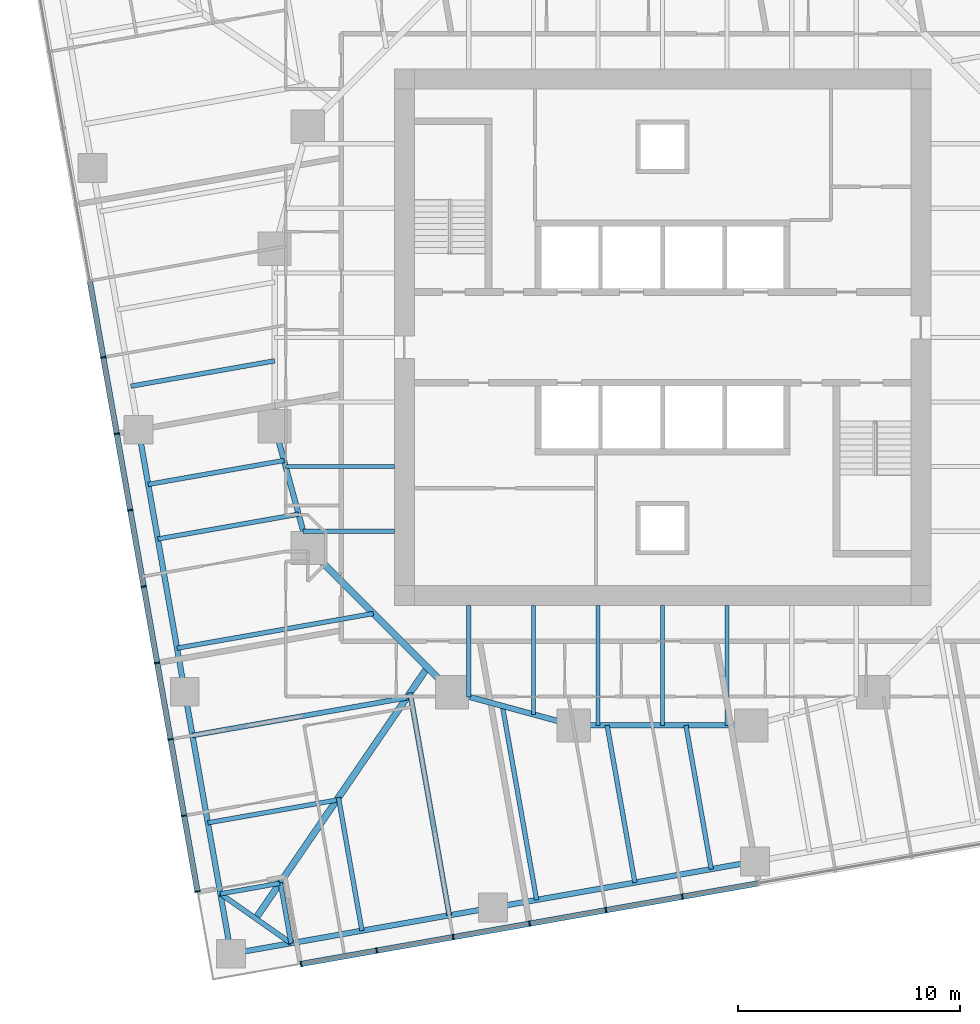
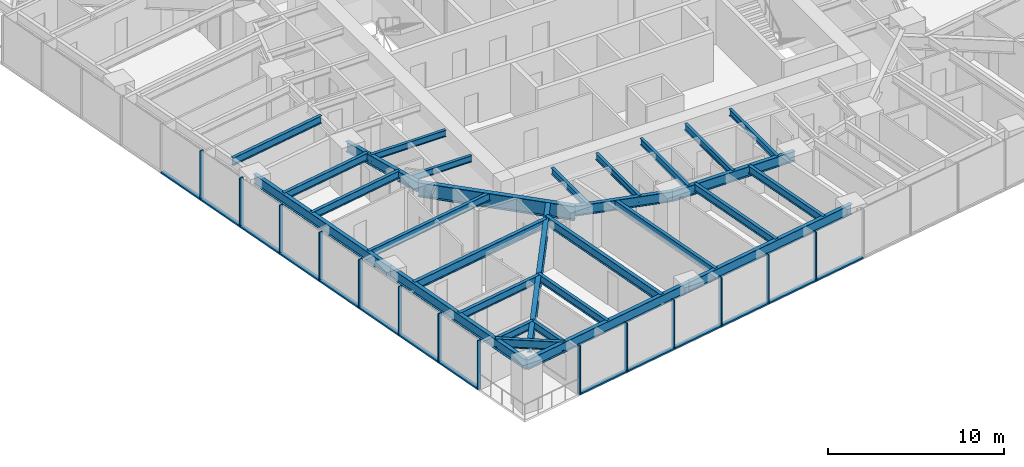
# One storey, part 2 of 14: 30 beams, 28 members, 2 elements without a shape of their own.
"""IFC4 building model written with IfcOpenShell, lengths in metres."""

import ifcopenshell
import ifcopenshell.guid

model = None  # the IFC model being written
_history = None  # IfcOwnerHistory: only IFC2X3 demands one
_inside = {}  # id of a spatial element -> (the spatial element, [elements in it])
_under = {}  # id of a project, library or spatial element -> (it, [spatial elements below it])
_declared = {}  # id of a project -> (the project, [libraries it declares])
_typed = {}  # id of a type object -> (the type object, [elements of that type])
_made_of = {}  # id of a material, layer set ... -> (it, [elements and type objects made of it])


def new_model(schema):
    """Start an empty IFC model of exactly this schema.

    Asked for "IFC4X3", IfcOpenShell would pick the latest addendum, in which some entities
    have other attributes; the version numbers below select the first issue.
    IFC2X3 requires an IfcOwnerHistory on every rooted entity: one is made here for all.
    """
    global model, _history
    if schema == "IFC4X3":
        model = ifcopenshell.file(schema_version=(4, 3, 0, 0))
    else:
        model = ifcopenshell.file(schema=schema)
    _inside.clear()
    _under.clear()
    _declared.clear()
    _typed.clear()
    _made_of.clear()
    _history = None
    if model.schema == "IFC2X3":
        org = make("IfcOrganization", Name="unknown")
        user = make(
            "IfcPersonAndOrganization",
            ThePerson=make("IfcPerson", FamilyName="unknown"),
            TheOrganization=org,
        )
        app = make(
            "IfcApplication",
            ApplicationDeveloper=org,
            Version="unknown",
            ApplicationFullName="unknown",
            ApplicationIdentifier="unknown",
        )
        _history = make(
            "IfcOwnerHistory",
            OwningUser=user,
            OwningApplication=app,
            ChangeAction="ADDED",
            CreationDate=0,
        )
    return model


def make(cls, **values):
    """One entity of the class cls with the attributes given. An attribute that is None is left unset."""
    return model.create_entity(
        cls, **{name: value for name, value in values.items() if value is not None}
    )


def rooted(cls, **values):
    """An entity with a GlobalId (a new one), such as an element, a storey or a relation."""
    return make(cls, GlobalId=ifcopenshell.guid.new(), OwnerHistory=_history, **values)


def si_unit(unit_type, name, prefix=None):
    """IfcSIUnit, for example si_unit("LENGTHUNIT", "METRE", prefix="MILLI")."""
    return make("IfcSIUnit", UnitType=unit_type, Prefix=prefix, Name=name)


def assignment(units):
    """IfcUnitAssignment: the units of a project."""
    return None if units is None else make("IfcUnitAssignment", Units=units)


def point(xyz):
    """IfcCartesianPoint."""
    return None if xyz is None else make("IfcCartesianPoint", Coordinates=xyz)


def direction(xyz):
    """IfcDirection."""
    return None if xyz is None else make("IfcDirection", DirectionRatios=xyz)


def frame(location, z_axis=None, x_axis=None):
    """IfcAxis2Placement3D, a coordinate frame: its origin and axes. An axis left out is left unset."""
    return make(
        "IfcAxis2Placement3D",
        Location=point(location),
        Axis=direction(z_axis),
        RefDirection=direction(x_axis),
    )


def frame_2d(location, x_axis=None):
    """IfcAxis2Placement2D, a coordinate frame in the plane: its origin and x axis."""
    return make(
        "IfcAxis2Placement2D", Location=point(location), RefDirection=direction(x_axis)
    )


def origin():
    """The frame at (0, 0, 0) with its axes left unset."""
    return frame((0.0, 0.0, 0.0))


def origin_2d():
    """The frame at (0, 0) in the plane with its x axis left unset."""
    return frame_2d((0.0, 0.0))


def place(relative_to, where):
    """IfcLocalPlacement: puts the frame where relative to a parent placement (None: the world)."""
    return make(
        "IfcLocalPlacement", PlacementRelTo=relative_to, RelativePlacement=where
    )


def context(
    kind, dimensions, precision=None, world=None, true_north=None, identifier=None
):
    """IfcGeometricRepresentationContext, for example the 3D "Model" context."""
    return make(
        "IfcGeometricRepresentationContext",
        ContextIdentifier=identifier,
        ContextType=kind,
        CoordinateSpaceDimension=dimensions,
        Precision=precision,
        WorldCoordinateSystem=world,
        TrueNorth=true_north,
    )


def subcontext(parent, identifier, kind, view, scale=None):
    """IfcGeometricRepresentationSubContext, for example "Body" below "Model"."""
    return make(
        "IfcGeometricRepresentationSubContext",
        ContextIdentifier=identifier,
        ContextType=kind,
        ParentContext=parent,
        TargetScale=scale,
        TargetView=view,
    )


def project(units=None, contexts=None):
    """IfcProject with its units and contexts."""
    return rooted(
        "IfcProject",
        Name="project",
        RepresentationContexts=contexts,
        UnitsInContext=assignment(units),
    )


def spatial(cls, under=None, at=None, **own):
    """A site, building, storey or space (cls), placed at a placement, below another one or the project."""
    s = rooted(cls, ObjectPlacement=at, **own)
    if under is not None:
        _under.setdefault(under.id(), (under, []))[1].append(s)
    return s


def profile(cls, at=None, kind="AREA", **sizes):
    """A parametric profile (cls). Its sizes go by their IFC names, for example OverallWidth=200.0."""
    return make(cls, ProfileType=kind, Position=at, **sizes)


def rectangle(**sizes):
    """IfcRectangleProfileDef."""
    return profile("IfcRectangleProfileDef", **sizes)


def i_section(**sizes):
    """IfcIShapeProfileDef."""
    return profile("IfcIShapeProfileDef", **sizes)


def extrude(swept, where, along, depth):
    """IfcExtrudedAreaSolid: the profile swept, set in the frame where, extruded along a direction by depth."""
    return make(
        "IfcExtrudedAreaSolid",
        SweptArea=swept,
        Position=where,
        ExtrudedDirection=direction(along),
        Depth=depth,
    )


def shape(context_of_items, identifier, shape_type, items):
    """IfcShapeRepresentation: the items that make up one representation, for example the "Body"."""
    return make(
        "IfcShapeRepresentation",
        ContextOfItems=context_of_items,
        RepresentationIdentifier=identifier,
        RepresentationType=shape_type,
        Items=items,
    )


def material(Name=None, Category=None):
    """IfcMaterial."""
    return make("IfcMaterial", Name=Name, Category=Category)


def material_profile(
    of_material, cross_section, Name=None, Category=None, Priority=None
):
    """IfcMaterialProfile: a cross section and its material."""
    return make(
        "IfcMaterialProfile",
        Name=Name,
        Material=of_material,
        Profile=cross_section,
        Priority=Priority,
        Category=Category,
    )


def profile_set(profiles, Name=None, composite=None):
    """IfcMaterialProfileSet."""
    return make(
        "IfcMaterialProfileSet",
        Name=Name,
        MaterialProfiles=profiles,
        CompositeProfile=composite,
    )


def made_of(thing, what):
    """Note that an element or type object is made of a material, layer set ...; save() writes the relation."""
    if what is not None:
        _made_of.setdefault(what.id(), (what, []))[1].append(thing)
    return thing


def type_object(cls, material=None, **own):
    """A type object (cls), such as IfcWallType, which elements share."""
    return made_of(rooted(cls, **own), material)


def element(
    cls,
    number,
    at=None,
    inside=None,
    cuts=None,
    type_object=None,
    material=None,
    context=None,
    identifier="Body",
    shape_type=None,
    held_by="IfcProductDefinitionShape",
    body=None,
    shapes=None,
    **own,
):
    """One element of the class cls, such as IfcWall. Its Tag is "e" and its number.

    at: its placement. inside: the storey or other place that contains it. cuts: it is an
    opening in that element (IfcRelVoidsElement). A single representation is given by context,
    identifier, shape_type and body (its items); several are given by shapes. held_by: the class
    of the entity that holds the representations. save() writes the other relations.
    """
    e = rooted(cls, Tag="e%d" % number, ObjectPlacement=at, **own)
    if body is not None:
        shapes = [shape(context, identifier, shape_type, body)]
    if shapes is not None:
        e.Representation = make(held_by, Representations=shapes)
    if inside is not None:
        _inside.setdefault(inside.id(), (inside, []))[1].append(e)
    if cuts is not None:
        rooted(
            "IfcRelVoidsElement", RelatingBuildingElement=cuts, RelatedOpeningElement=e
        )
    if type_object is not None:
        _typed.setdefault(type_object.id(), (type_object, []))[1].append(e)
    return made_of(e, material)


def aggregate(whole, parts):
    """IfcRelAggregates: a whole, such as a stair, and the parts it consists of."""
    return rooted("IfcRelAggregates", RelatingObject=whole, RelatedObjects=parts)


def save(model, path):
    """Write the relations noted so far, then the file.

    IfcRelAggregates (storeys below a building ...), IfcRelContainedInSpatialStructure (elements
    in a storey), IfcRelDefinesByType, IfcRelAssociatesMaterial and IfcRelDeclares: one each for
    every whole, place, type object, material and project.
    """
    for whole, parts in _under.values():
        aggregate(whole, parts)
    for where, things in _inside.values():
        rooted(
            "IfcRelContainedInSpatialStructure",
            RelatedElements=things,
            RelatingStructure=where,
        )
    for kind, things in _typed.values():
        rooted("IfcRelDefinesByType", RelatedObjects=things, RelatingType=kind)
    for what, things in _made_of.values():
        rooted("IfcRelAssociatesMaterial", RelatedObjects=things, RelatingMaterial=what)
    for by, libraries in _declared.values():
        rooted("IfcRelDeclares", RelatingContext=by, RelatedDefinitions=libraries)
    model.write(path)


model = new_model("IFC4")

# Units and contexts
model_context = context("Model", 3, precision=1e-05, world=origin(), true_north=direction((0.0, 1.0)))
body_context = subcontext(model_context, "Body", "Model", "MODEL_VIEW")
ifc_project = project(units=[si_unit("LENGTHUNIT", "METRE"), si_unit("AREAUNIT", "SQUARE_METRE"), si_unit("VOLUMEUNIT", "CUBIC_METRE"), si_unit("PLANEANGLEUNIT", "RADIAN"), si_unit("MASSUNIT", "GRAM", prefix="KILO")], contexts=[model_context])

# Site, building, storey
site_placement = place(None, origin())
site = spatial("IfcSite", under=ifc_project, at=site_placement, CompositionType="ELEMENT")
building_placement = place(site_placement, origin())
building = spatial("IfcBuilding", under=site, at=building_placement, Name="Torsade Residences", CompositionType="ELEMENT")
storey_placement = place(building_placement, frame((0.0, 0.0, 89.60009765625)))
storey = spatial("IfcBuildingStorey", under=building, at=storey_placement, Name="L24", CompositionType="ELEMENT", Elevation=89.60009765625)

# Beams
ifc_material_1 = material(Name="Steel grade 300", Category="steel")
ifc_material_profile_1 = material_profile(ifc_material_1, i_section(OverallWidth=0.300048828125, OverallDepth=0.89990234375, WebThickness=0.011962890625, FlangeThickness=0.02490234375, at=origin_2d()), Name="900WB175")
ifc_profile_set_1 = profile_set([ifc_material_profile_1], Name="Steel grade 300")
beam_type_1 = type_object("IfcBeamType", Name="CORNER GIRDER 900WB175", PredefinedType="BEAM", material=ifc_profile_set_1)
beam_1_placement = place(storey_placement, frame((21.6474609375, 3.7900390625, 2.7998046875), z_axis=(0.564724759437, 0.825279313977, 0.0), x_axis=(-0.825279313977, 0.564724759437, 0.0)))
element("IfcBeam", 1, at=beam_1_placement, inside=storey, type_object=beam_type_1, Name="Corner girder 01 L25", PredefinedType="BEAM", context=body_context, shape_type="SweptSolid", body=[
    extrude(i_section(OverallWidth=0.300048828125, OverallDepth=0.89990234375, WebThickness=0.011962890625, FlangeThickness=0.02490234375, at=origin_2d()), origin(), (0.0, 0.0, 1.0), 13.7138671875),
])
ifc_material_2 = material(Name="Steel grade 300", Category="steel")
ifc_material_profile_2 = material_profile(ifc_material_2, i_section(OverallWidth=0.22802734375, OverallDepth=0.60205078125, WebThickness=0.010498046875, FlangeThickness=0.014892578125, FilletRadius=0.013916015625, at=origin_2d()), Name="610UB101")
ifc_profile_set_2 = profile_set([ifc_material_profile_2], Name="Steel grade 300")
beam_type_2 = type_object("IfcBeamType", Name="CORNER TRIMMER 610UB101", PredefinedType="BEAM", material=ifc_profile_set_2)
beam_2_placement = place(storey_placement, frame((23.240478515625, 2.674560546875, 2.948974609375), z_axis=(-0.819152285145, 0.573576092373, 0.0), x_axis=(-0.573576092373, -0.819152285145, 0.0)))
element("IfcBeam", 2, at=beam_2_placement, inside=storey, type_object=beam_type_2, Name="Corner trimmer 01 L25", PredefinedType="BEAM", context=body_context, shape_type="SweptSolid", body=[
    extrude(i_section(OverallWidth=0.22802734375, OverallDepth=0.60205078125, WebThickness=0.010498046875, FlangeThickness=0.014892578125, FilletRadius=0.013916015625, at=origin_2d()), origin(), (0.0, 0.0, 1.0), 3.88916015625),
])

# Curtain wall, members
ifc_material_3 = material(Name="Aluminium and glass", Category="aluminium")
curtain_wall_type = type_object("IfcCurtainWallType", Name="FRITTED GLASS CURTAIN WALL LOW ZONE", PredefinedType="NOTDEFINED", material=ifc_material_3)
curtain_wall_1_placement = place(storey_placement, origin())
curtain_wall_1 = element("IfcCurtainWall", 3, at=curtain_wall_1_placement, inside=storey, type_object=curtain_wall_type, Name="Curtain wall L24 face 1", PredefinedType="NOTDEFINED")
ifc_material_4 = material(Name="Aluminium mullion", Category="aluminium")
ifc_material_profile_3 = material_profile(ifc_material_4, rectangle(XDim=0.25, YDim=0.06494140625, at=origin_2d()), Name="CURTAIN WALL MULLION 250x65")
ifc_profile_set_3 = profile_set([ifc_material_profile_3], Name="Aluminium mullion")
member_type_1 = type_object("IfcMemberType", Name="CURTAIN WALL MULLION 250x65", PredefinedType="MULLION", material=ifc_profile_set_3)
member_1_placement = place(storey_placement, frame((23.692138671875, 1.73876953125, 0.0), z_axis=(0.0, 0.0, 1.0), x_axis=(-0.173648192638, 0.984807750372, 0.0)))
member_1 = element("IfcMember", 4, at=member_1_placement, type_object=member_type_1, Name="Mullion 1", PredefinedType="MULLION", context=body_context, shape_type="SweptSolid", body=[
    extrude(rectangle(XDim=0.25, YDim=0.06494140625, at=origin_2d()), origin(), (0.0, 0.0, 1.0), 3.39990234375),
])
member_2_placement = place(storey_placement, frame((27.107177734375, 2.341064453125, 0.0), z_axis=(0.0, 0.0, 1.0), x_axis=(-0.173648192638, 0.984807750372, 0.0)))
member_2 = element("IfcMember", 5, at=member_2_placement, type_object=member_type_1, Name="Mullion 2", PredefinedType="MULLION", context=body_context, shape_type="SweptSolid", body=[
    extrude(rectangle(XDim=0.25, YDim=0.06494140625, at=origin_2d()), origin(), (0.0, 0.0, 1.0), 3.39990234375),
])
member_3_placement = place(storey_placement, frame((30.553955078125, 2.94873046875, 0.0), z_axis=(0.0, 0.0, 1.0), x_axis=(-0.173648192638, 0.984807750372, 0.0)))
member_3 = element("IfcMember", 6, at=member_3_placement, type_object=member_type_1, Name="Mullion 3", PredefinedType="MULLION", context=body_context, shape_type="SweptSolid", body=[
    extrude(rectangle(XDim=0.25, YDim=0.06494140625, at=origin_2d()), origin(), (0.0, 0.0, 1.0), 3.39990234375),
])
member_4_placement = place(storey_placement, frame((34.000732421875, 3.556396484375, 0.0), z_axis=(0.0, 0.0, 1.0), x_axis=(-0.173648192638, 0.984807750372, 0.0)))
member_4 = element("IfcMember", 7, at=member_4_placement, type_object=member_type_1, Name="Mullion 4", PredefinedType="MULLION", context=body_context, shape_type="SweptSolid", body=[
    extrude(rectangle(XDim=0.25, YDim=0.06494140625, at=origin_2d()), origin(), (0.0, 0.0, 1.0), 3.39990234375),
])
member_5_placement = place(storey_placement, frame((37.447509765625, 4.164306640625, 0.0), z_axis=(0.0, 0.0, 1.0), x_axis=(-0.173648192638, 0.984807750372, 0.0)))
member_5 = element("IfcMember", 8, at=member_5_placement, type_object=member_type_1, Name="Mullion 5", PredefinedType="MULLION", context=body_context, shape_type="SweptSolid", body=[
    extrude(rectangle(XDim=0.25, YDim=0.06494140625, at=origin_2d()), origin(), (0.0, 0.0, 1.0), 3.39990234375),
])
member_6_placement = place(storey_placement, frame((40.894287109375, 4.77197265625, 0.0), z_axis=(0.0, 0.0, 1.0), x_axis=(-0.173648192638, 0.984807750372, 0.0)))
member_6 = element("IfcMember", 9, at=member_6_placement, type_object=member_type_1, Name="Mullion 6", PredefinedType="MULLION", context=body_context, shape_type="SweptSolid", body=[
    extrude(rectangle(XDim=0.25, YDim=0.06494140625, at=origin_2d()), origin(), (0.0, 0.0, 1.0), 3.39990234375),
])

curtain_wall_2_placement = place(storey_placement, origin())
curtain_wall_2 = element("IfcCurtainWall", 10, at=curtain_wall_2_placement, inside=storey, type_object=curtain_wall_type, Name="Curtain wall L24 face 10", PredefinedType="NOTDEFINED")
member_7_placement = place(storey_placement, frame((14.77197265625, 29.105712890625, 0.0), z_axis=(0.0, 0.0, 1.0), x_axis=(0.984807750372, 0.173648192638, 0.0)))
member_7 = element("IfcMember", 11, at=member_7_placement, type_object=member_type_1, Name="Mullion 6", PredefinedType="MULLION", context=body_context, shape_type="SweptSolid", body=[
    extrude(rectangle(XDim=0.25, YDim=0.06494140625, at=origin_2d()), origin(), (0.0, 0.0, 1.0), 3.39990234375),
])
member_8_placement = place(storey_placement, frame((15.3798828125, 25.65869140625, 0.0), z_axis=(0.0, 0.0, 1.0), x_axis=(0.984807750372, 0.173648192638, 0.0)))
member_8 = element("IfcMember", 12, at=member_8_placement, type_object=member_type_1, Name="Mullion 7", PredefinedType="MULLION", context=body_context, shape_type="SweptSolid", body=[
    extrude(rectangle(XDim=0.25, YDim=0.06494140625, at=origin_2d()), origin(), (0.0, 0.0, 1.0), 3.39990234375),
])
member_9_placement = place(storey_placement, frame((15.987548828125, 22.2119140625, 0.0), z_axis=(0.0, 0.0, 1.0), x_axis=(0.984807750372, 0.173648192638, 0.0)))
member_9 = element("IfcMember", 13, at=member_9_placement, type_object=member_type_1, Name="Mullion 8", PredefinedType="MULLION", context=body_context, shape_type="SweptSolid", body=[
    extrude(rectangle(XDim=0.25, YDim=0.06494140625, at=origin_2d()), origin(), (0.0, 0.0, 1.0), 3.39990234375),
])
member_10_placement = place(storey_placement, frame((16.595458984375, 18.76513671875, 0.0), z_axis=(0.0, 0.0, 1.0), x_axis=(0.984807750372, 0.173648192638, 0.0)))
member_10 = element("IfcMember", 14, at=member_10_placement, type_object=member_type_1, Name="Mullion 9", PredefinedType="MULLION", context=body_context, shape_type="SweptSolid", body=[
    extrude(rectangle(XDim=0.25, YDim=0.06494140625, at=origin_2d()), origin(), (0.0, 0.0, 1.0), 3.39990234375),
])
member_11_placement = place(storey_placement, frame((17.203125, 15.318359375, 0.0), z_axis=(0.0, 0.0, 1.0), x_axis=(0.984807750372, 0.173648192638, 0.0)))
member_11 = element("IfcMember", 15, at=member_11_placement, type_object=member_type_1, Name="Mullion 10", PredefinedType="MULLION", context=body_context, shape_type="SweptSolid", body=[
    extrude(rectangle(XDim=0.25, YDim=0.06494140625, at=origin_2d()), origin(), (0.0, 0.0, 1.0), 3.39990234375),
])
member_12_placement = place(storey_placement, frame((17.810791015625, 11.87158203125, 0.0), z_axis=(0.0, 0.0, 1.0), x_axis=(0.984807750372, 0.173648192638, 0.0)))
member_12 = element("IfcMember", 16, at=member_12_placement, type_object=member_type_1, Name="Mullion 11", PredefinedType="MULLION", context=body_context, shape_type="SweptSolid", body=[
    extrude(rectangle(XDim=0.25, YDim=0.06494140625, at=origin_2d()), origin(), (0.0, 0.0, 1.0), 3.39990234375),
])
member_13_placement = place(storey_placement, frame((18.418701171875, 8.424560546875, 0.0), z_axis=(0.0, 0.0, 1.0), x_axis=(0.984807750372, 0.173648192638, 0.0)))
member_13 = element("IfcMember", 17, at=member_13_placement, type_object=member_type_1, Name="Mullion 12", PredefinedType="MULLION", context=body_context, shape_type="SweptSolid", body=[
    extrude(rectangle(XDim=0.25, YDim=0.06494140625, at=origin_2d()), origin(), (0.0, 0.0, 1.0), 3.39990234375),
])
member_14_placement = place(storey_placement, frame((19.020751953125, 5.009765625, 0.0), z_axis=(0.0, 0.0, 1.0), x_axis=(0.984807750372, 0.173648192638, 0.0)))
member_14 = element("IfcMember", 18, at=member_14_placement, type_object=member_type_1, Name="Mullion 13", PredefinedType="MULLION", context=body_context, shape_type="SweptSolid", body=[
    extrude(rectangle(XDim=0.25, YDim=0.06494140625, at=origin_2d()), origin(), (0.0, 0.0, 1.0), 3.39990234375),
])

# Member
ifc_material_5 = material(Name="Aluminium transom", Category="aluminium")
ifc_material_profile_4 = material_profile(ifc_material_5, rectangle(XDim=0.25, YDim=0.10009765625, at=origin_2d()), Name="CURTAIN WALL TRANSOM 250x100")
ifc_profile_set_4 = profile_set([ifc_material_profile_4], Name="Aluminium transom")
member_type_2 = type_object("IfcMemberType", Name="CURTAIN WALL TRANSOM 250x100", PredefinedType="USERDEFINED", material=ifc_profile_set_4)
member_15_placement = place(storey_placement, frame((23.724365234375, 1.744384765625, 0.0498046875), z_axis=(0.984806666774, 0.173654337918, 0.0), x_axis=(-0.173654337918, 0.984806666774, 0.0)))
member_15 = element("IfcMember", 19, at=member_15_placement, type_object=member_type_2, Name="Transom 1.1", ObjectType="TRANSOM", PredefinedType="USERDEFINED", context=body_context, shape_type="SweptSolid", body=[
    extrude(rectangle(XDim=0.25, YDim=0.10009765625, at=origin_2d()), origin(), (0.0, 0.0, 1.0), 3.40234375),
])

member_16_placement = place(storey_placement, frame((27.13916015625, 2.3466796875, 0.0498046875), z_axis=(0.984810021497, 0.17363531196, 0.0), x_axis=(-0.17363531196, 0.984810021497, 0.0)))
member_16 = element("IfcMember", 20, at=member_16_placement, type_object=member_type_2, Name="Transom 2.1", ObjectType="TRANSOM", PredefinedType="USERDEFINED", context=body_context, shape_type="SweptSolid", body=[
    extrude(rectangle(XDim=0.25, YDim=0.10009765625, at=origin_2d()), origin(), (0.0, 0.0, 1.0), 3.43505859375),
])

member_17_placement = place(storey_placement, frame((30.5859375, 2.954345703125, 0.0498046875), z_axis=(0.984810021497, 0.17363531196, 0.0), x_axis=(-0.17363531196, 0.984810021497, 0.0)))
member_17 = element("IfcMember", 21, at=member_17_placement, type_object=member_type_2, Name="Transom 3.1", ObjectType="TRANSOM", PredefinedType="USERDEFINED", context=body_context, shape_type="SweptSolid", body=[
    extrude(rectangle(XDim=0.25, YDim=0.10009765625, at=origin_2d()), origin(), (0.0, 0.0, 1.0), 3.43505859375),
])

member_18_placement = place(storey_placement, frame((34.03271484375, 3.562255859375, 0.0498046875), z_axis=(0.984810021497, 0.17363531196, 0.0), x_axis=(-0.17363531196, 0.984810021497, 0.0)))
member_18 = element("IfcMember", 22, at=member_18_placement, type_object=member_type_2, Name="Transom 4.1", ObjectType="TRANSOM", PredefinedType="USERDEFINED", context=body_context, shape_type="SweptSolid", body=[
    extrude(rectangle(XDim=0.25, YDim=0.10009765625, at=origin_2d()), origin(), (0.0, 0.0, 1.0), 3.43505859375),
])

member_19_placement = place(storey_placement, frame((37.4794921875, 4.169921875, 0.0498046875), z_axis=(0.984810021497, 0.17363531196, 0.0), x_axis=(-0.17363531196, 0.984810021497, 0.0)))
member_19 = element("IfcMember", 23, at=member_19_placement, type_object=member_type_2, Name="Transom 5.1", ObjectType="TRANSOM", PredefinedType="USERDEFINED", context=body_context, shape_type="SweptSolid", body=[
    extrude(rectangle(XDim=0.25, YDim=0.10009765625, at=origin_2d()), origin(), (0.0, 0.0, 1.0), 3.43505859375),
])

member_20_placement = place(storey_placement, frame((40.92626953125, 4.777587890625, 0.0498046875), z_axis=(0.98479786563, 0.173704242465, 0.0), x_axis=(-0.173704242465, 0.98479786563, 0.0)))
member_20 = element("IfcMember", 24, at=member_20_placement, type_object=member_type_2, Name="Transom 6.1", ObjectType="TRANSOM", PredefinedType="USERDEFINED", context=body_context, shape_type="SweptSolid", body=[
    extrude(rectangle(XDim=0.25, YDim=0.10009765625, at=origin_2d()), origin(), (0.0, 0.0, 1.0), 3.43505859375),
])

aggregate(curtain_wall_1, [member_1, member_2, member_3, member_4, member_5, member_6, member_15, member_16, member_17, member_18, member_19, member_20])

member_21_placement = place(storey_placement, frame((14.169921875, 32.5205078125, 0.0498046875), z_axis=(0.17363531196, -0.984810021497, 0.0), x_axis=(0.984810021497, 0.17363531196, 0.0)))
member_21 = element("IfcMember", 25, at=member_21_placement, type_object=member_type_2, Name="Transom 5.1", ObjectType="TRANSOM", PredefinedType="USERDEFINED", context=body_context, shape_type="SweptSolid", body=[
    extrude(rectangle(XDim=0.25, YDim=0.10009765625, at=origin_2d()), origin(), (0.0, 0.0, 1.0), 3.43505859375),
])

member_22_placement = place(storey_placement, frame((14.777587890625, 29.07373046875, 0.0498046875), z_axis=(0.173704242465, -0.98479786563, 0.0), x_axis=(0.98479786563, 0.173704242465, 0.0)))
member_22 = element("IfcMember", 26, at=member_22_placement, type_object=member_type_2, Name="Transom 6.1", ObjectType="TRANSOM", PredefinedType="USERDEFINED", context=body_context, shape_type="SweptSolid", body=[
    extrude(rectangle(XDim=0.25, YDim=0.10009765625, at=origin_2d()), origin(), (0.0, 0.0, 1.0), 3.43505859375),
])

member_23_placement = place(storey_placement, frame((15.385498046875, 25.626708984375, 0.0498046875), z_axis=(0.17363531196, -0.984810021497, 0.0), x_axis=(0.984810021497, 0.17363531196, 0.0)))
member_23 = element("IfcMember", 27, at=member_23_placement, type_object=member_type_2, Name="Transom 7.1", ObjectType="TRANSOM", PredefinedType="USERDEFINED", context=body_context, shape_type="SweptSolid", body=[
    extrude(rectangle(XDim=0.25, YDim=0.10009765625, at=origin_2d()), origin(), (0.0, 0.0, 1.0), 3.43505859375),
])

member_24_placement = place(storey_placement, frame((15.9931640625, 22.179931640625, 0.0498046875), z_axis=(0.17363531196, -0.984810021497, 0.0), x_axis=(0.984810021497, 0.17363531196, 0.0)))
member_24 = element("IfcMember", 28, at=member_24_placement, type_object=member_type_2, Name="Transom 8.1", ObjectType="TRANSOM", PredefinedType="USERDEFINED", context=body_context, shape_type="SweptSolid", body=[
    extrude(rectangle(XDim=0.25, YDim=0.10009765625, at=origin_2d()), origin(), (0.0, 0.0, 1.0), 3.43505859375),
])

member_25_placement = place(storey_placement, frame((16.60107421875, 18.733154296875, 0.0498046875), z_axis=(0.17363531196, -0.984810021497, 0.0), x_axis=(0.984810021497, 0.17363531196, 0.0)))
member_25 = element("IfcMember", 29, at=member_25_placement, type_object=member_type_2, Name="Transom 9.1", ObjectType="TRANSOM", PredefinedType="USERDEFINED", context=body_context, shape_type="SweptSolid", body=[
    extrude(rectangle(XDim=0.25, YDim=0.10009765625, at=origin_2d()), origin(), (0.0, 0.0, 1.0), 3.43505859375),
])

member_26_placement = place(storey_placement, frame((17.208740234375, 15.286376953125, 0.0498046875), z_axis=(0.17363531196, -0.984810021497, 0.0), x_axis=(0.984810021497, 0.17363531196, 0.0)))
member_26 = element("IfcMember", 30, at=member_26_placement, type_object=member_type_2, Name="Transom 10.1", ObjectType="TRANSOM", PredefinedType="USERDEFINED", context=body_context, shape_type="SweptSolid", body=[
    extrude(rectangle(XDim=0.25, YDim=0.10009765625, at=origin_2d()), origin(), (0.0, 0.0, 1.0), 3.43505859375),
])

member_27_placement = place(storey_placement, frame((17.81640625, 11.839599609375, 0.0498046875), z_axis=(0.173704242465, -0.98479786563, 0.0), x_axis=(0.98479786563, 0.173704242465, 0.0)))
member_27 = element("IfcMember", 31, at=member_27_placement, type_object=member_type_2, Name="Transom 11.1", ObjectType="TRANSOM", PredefinedType="USERDEFINED", context=body_context, shape_type="SweptSolid", body=[
    extrude(rectangle(XDim=0.25, YDim=0.10009765625, at=origin_2d()), origin(), (0.0, 0.0, 1.0), 3.43505859375),
])

member_28_placement = place(storey_placement, frame((18.42431640625, 8.392578125, 0.0498046875), z_axis=(0.173642067011, -0.984808830466, 0.0), x_axis=(0.984808830466, 0.173642067011, 0.0)))
member_28 = element("IfcMember", 32, at=member_28_placement, type_object=member_type_2, Name="Transom 12.1", ObjectType="TRANSOM", PredefinedType="USERDEFINED", context=body_context, shape_type="SweptSolid", body=[
    extrude(rectangle(XDim=0.25, YDim=0.10009765625, at=origin_2d()), origin(), (0.0, 0.0, 1.0), 3.402587890625),
])

aggregate(curtain_wall_2, [member_7, member_8, member_9, member_10, member_11, member_12, member_13, member_14, member_21, member_22, member_23, member_24, member_25, member_26, member_27, member_28])

# Beams
ifc_material_6 = material(Name="Steel grade 300", Category="steel")
ifc_material_profile_5 = material_profile(ifc_material_6, i_section(OverallWidth=0.25, OverallDepth=0.699951171875, WebThickness=0.010009765625, FlangeThickness=0.02001953125, at=origin_2d()), Name="700WB130")
ifc_profile_set_5 = profile_set([ifc_material_profile_5], Name="Steel grade 300")
beam_type_3 = type_object("IfcBeamType", Name="EDGE BEAM 700WB130", PredefinedType="SPANDREL", material=ifc_profile_set_5)
for number, where, z_axis, x_axis, name in (
    (33, (20.5322265625, 2.197021484375, 2.89990234375), (0.984808127031, 0.173646056486, 0.0), (-0.173646056486, 0.984808127031, 0.0), "Edge beam 01 L25"),
    (34, (32.349853515625, 4.28076171875, 2.89990234375), (0.984808127031, 0.173646056486, 0.0), (-0.173646056486, 0.984808127031, 0.0), "Edge beam 02 L25"),
):
    element("IfcBeam", number, at=place(storey_placement, frame(where, z_axis=z_axis, x_axis=x_axis)), inside=storey, type_object=beam_type_3, Name=name, PredefinedType="SPANDREL", context=body_context, shape_type="SweptSolid", body=[
        extrude(i_section(OverallWidth=0.25, OverallDepth=0.699951171875, WebThickness=0.010009765625, FlangeThickness=0.02001953125, at=origin_2d()), origin(), (0.0, 0.0, 1.0), 12.0),
    ])
beam_3_placement = place(storey_placement, frame((16.364501953125, 25.83251953125, 2.89990234375), z_axis=(0.173662308598, -0.984805261243, 0.0), x_axis=(0.984805261243, 0.173662308598, 0.0)))
element("IfcBeam", 35, at=beam_3_placement, inside=storey, type_object=beam_type_3, Name="Edge beam 15 L25", PredefinedType="SPANDREL", context=body_context, shape_type="SweptSolid", body=[
    extrude(i_section(OverallWidth=0.25, OverallDepth=0.699951171875, WebThickness=0.010009765625, FlangeThickness=0.02001953125, at=origin_2d()), origin(), (0.0, 0.0, 1.0), 12.000244140625),
])
beam_4_placement = place(storey_placement, frame((18.448486328125, 14.0146484375, 2.89990234375), z_axis=(0.173646056486, -0.984808127031, 0.0), x_axis=(0.984808127031, 0.173646056486, 0.0)))
element("IfcBeam", 36, at=beam_4_placement, inside=storey, type_object=beam_type_3, Name="Edge beam 16 L25", PredefinedType="SPANDREL", context=body_context, shape_type="SweptSolid", body=[
    extrude(i_section(OverallWidth=0.25, OverallDepth=0.699951171875, WebThickness=0.010009765625, FlangeThickness=0.02001953125, at=origin_2d()), origin(), (0.0, 0.0, 1.0), 12.0),
])
ifc_material_7 = material(Name="Steel grade 300", Category="steel")
ifc_material_profile_6 = material_profile(ifc_material_7, i_section(OverallWidth=0.18994140625, OverallDepth=0.4541015625, WebThickness=0.008544921875, FlangeThickness=0.0126953125, FilletRadius=0.011474609375, at=origin_2d()), Name="460UB67.1")
ifc_profile_set_6 = profile_set([ifc_material_profile_6], Name="Steel grade 300")
beam_type_4 = type_object("IfcBeamType", Name="INNER FLOOR BEAM 460UB67.1", PredefinedType="JOIST", material=ifc_profile_set_6)
for number, where, z_axis, x_axis, name in (
    (37, (42.91259765625, 17.89990234375, 3.02294921875), (0.0, -1.0, 0.0), (1.0, 0.0, 0.0), "Inner floor beam IS03 L25"),
    (38, (40.0, 17.89990234375, 3.02294921875), (0.0, -1.0, 0.0), (1.0, 0.0, 0.0), "Inner floor beam IS04 L25"),
    (39, (37.08740234375, 17.89990234375, 3.02294921875), (0.0, -1.0, 0.0), (1.0, 0.0, 0.0), "Inner floor beam IS05 L25"),
):
    element("IfcBeam", number, at=place(storey_placement, frame(where, z_axis=z_axis, x_axis=x_axis)), inside=storey, type_object=beam_type_4, Name=name, PredefinedType="JOIST", context=body_context, shape_type="SweptSolid", body=[
        extrude(i_section(OverallWidth=0.18994140625, OverallDepth=0.4541015625, WebThickness=0.008544921875, FlangeThickness=0.0126953125, FilletRadius=0.011474609375, at=origin_2d()), origin(), (0.0, 0.0, 1.0), 5.39990234375),
    ])
beam_5_placement = place(storey_placement, frame((34.175048828125, 17.89990234375, 3.02294921875), z_axis=(0.0, -1.0, 0.0), x_axis=(1.0, 0.0, 0.0)))
element("IfcBeam", 40, at=beam_5_placement, inside=storey, type_object=beam_type_4, Name="Inner floor beam IS06 L25", PredefinedType="JOIST", context=body_context, shape_type="SweptSolid", body=[
    extrude(i_section(OverallWidth=0.18994140625, OverallDepth=0.4541015625, WebThickness=0.008544921875, FlangeThickness=0.0126953125, FilletRadius=0.011474609375, at=origin_2d()), origin(), (0.0, 0.0, 1.0), 4.902099609375),
])
beam_6_placement = place(storey_placement, frame((31.262451171875, 17.89990234375, 3.02294921875), z_axis=(0.0, -1.0, 0.0), x_axis=(1.0, 0.0, 0.0)))
element("IfcBeam", 41, at=beam_6_placement, inside=storey, type_object=beam_type_4, Name="Inner floor beam IS07 L25", PredefinedType="JOIST", context=body_context, shape_type="SweptSolid", body=[
    extrude(i_section(OverallWidth=0.18994140625, OverallDepth=0.4541015625, WebThickness=0.008544921875, FlangeThickness=0.0126953125, FilletRadius=0.011474609375, at=origin_2d()), origin(), (0.0, 0.0, 1.0), 4.10791015625),
])
beam_7_placement = place(storey_placement, frame((27.89990234375, 24.175048828125, 3.02294921875), z_axis=(-1.0, 0.0, 0.0), x_axis=(0.0, -1.0, 0.0)))
element("IfcBeam", 42, at=beam_7_placement, inside=storey, type_object=beam_type_4, Name="Inner floor beam IW06 L25", PredefinedType="JOIST", context=body_context, shape_type="SweptSolid", body=[
    extrude(i_section(OverallWidth=0.18994140625, OverallDepth=0.4541015625, WebThickness=0.008544921875, FlangeThickness=0.0126953125, FilletRadius=0.011474609375, at=origin_2d()), origin(), (0.0, 0.0, 1.0), 4.902099609375),
])
beam_8_placement = place(storey_placement, frame((27.89990234375, 21.262451171875, 3.02294921875), z_axis=(-1.0, 0.0, 0.0), x_axis=(0.0, -1.0, 0.0)))
element("IfcBeam", 43, at=beam_8_placement, inside=storey, type_object=beam_type_4, Name="Inner floor beam IW07 L25", PredefinedType="JOIST", context=body_context, shape_type="SweptSolid", body=[
    extrude(i_section(OverallWidth=0.18994140625, OverallDepth=0.4541015625, WebThickness=0.008544921875, FlangeThickness=0.0126953125, FilletRadius=0.011474609375, at=origin_2d()), origin(), (0.0, 0.0, 1.0), 4.10791015625),
])
ifc_material_8 = material(Name="Steel grade 300", Category="steel")
ifc_material_profile_7 = material_profile(ifc_material_8, i_section(OverallWidth=0.300048828125, OverallDepth=1.0, WebThickness=0.01611328125, FlangeThickness=0.028076171875, at=origin_2d()), Name="1000WB215")
ifc_profile_set_7 = profile_set([ifc_material_profile_7], Name="Steel grade 300")
beam_type_5 = type_object("IfcBeamType", Name="RING CORNER GIRDER 1000WB215", PredefinedType="BEAM", material=ifc_profile_set_7)
beam_9_placement = place(storey_placement, frame((24.0, 20.5, 2.75), z_axis=(0.707106781187, -0.707106781187, 0.0), x_axis=(0.707106781187, 0.707106781187, 0.0)))
element("IfcBeam", 44, at=beam_9_placement, inside=storey, type_object=beam_type_5, Name="Ring girder IR11 L25", PredefinedType="BEAM", context=body_context, shape_type="SweptSolid", body=[
    extrude(i_section(OverallWidth=0.300048828125, OverallDepth=1.0, WebThickness=0.01611328125, FlangeThickness=0.028076171875, at=origin_2d()), origin(), (0.0, 0.0, 1.0), 9.1923828125),
])
ifc_material_9 = material(Name="Steel grade 300", Category="steel")
ifc_material_profile_8 = material_profile(ifc_material_9, i_section(OverallWidth=0.25, OverallDepth=0.699951171875, WebThickness=0.010009765625, FlangeThickness=0.02001953125, at=origin_2d()), Name="700WB130")
ifc_profile_set_8 = profile_set([ifc_material_profile_8], Name="Steel grade 300")
beam_type_6 = type_object("IfcBeamType", Name="RING GIRDER 700WB130", PredefinedType="BEAM", material=ifc_profile_set_8)
for number, where, z_axis, x_axis, name in (
    (45, (22.5, 26.0, 2.89990234375), (0.263117405792, -0.964763821238, 0.0), (0.964763821238, 0.263117405792, 0.0), "Ring girder IR10 L25"),
    (46, (30.5, 14.0, 2.89990234375), (0.964763821238, -0.263117405792, 0.0), (0.263117405792, 0.964763821238, 0.0), "Ring girder IR12 L25"),
):
    element("IfcBeam", number, at=place(storey_placement, frame(where, z_axis=z_axis, x_axis=x_axis)), inside=storey, type_object=beam_type_6, Name=name, PredefinedType="BEAM", context=body_context, shape_type="SweptSolid", body=[
        extrude(i_section(OverallWidth=0.25, OverallDepth=0.699951171875, WebThickness=0.010009765625, FlangeThickness=0.02001953125, at=origin_2d()), origin(), (0.0, 0.0, 1.0), 5.700927734375),
    ])
beam_10_placement = place(storey_placement, frame((36.0, 12.5, 2.89990234375), z_axis=(1.0, 0.0, 0.0), x_axis=(0.0, 1.0, 0.0)))
element("IfcBeam", 47, at=beam_10_placement, inside=storey, type_object=beam_type_6, Name="Ring girder IR13 L25", PredefinedType="BEAM", context=body_context, shape_type="SweptSolid", body=[
    extrude(i_section(OverallWidth=0.25, OverallDepth=0.699951171875, WebThickness=0.010009765625, FlangeThickness=0.02001953125, at=origin_2d()), origin(), (0.0, 0.0, 1.0), 8.0),
])
ifc_material_10 = material(Name="Steel grade 300", Category="steel")
ifc_material_profile_9 = material_profile(ifc_material_10, i_section(OverallWidth=0.208984375, OverallDepth=0.528076171875, WebThickness=0.009521484375, FlangeThickness=0.01318359375, FilletRadius=0.013916015625, at=origin_2d()), Name="530UB82.0")
ifc_profile_set_9 = profile_set([ifc_material_profile_9], Name="Steel grade 300")
beam_type_7 = type_object("IfcBeamType", Name="SECONDARY BEAM 530UB82.0", PredefinedType="JOIST", material=ifc_profile_set_9)
beam_11_placement = place(storey_placement, frame((23.240478515625, 2.674560546875, 2.98583984375), z_axis=(-0.173705176765, 0.984797700832, 0.0), x_axis=(-0.984797700832, -0.173705176765, 0.0)))
element("IfcBeam", 48, at=beam_11_placement, inside=storey, type_object=beam_type_7, Name="Floor beam FS01 L25", PredefinedType="JOIST", context=body_context, shape_type="SweptSolid", body=[
    extrude(i_section(OverallWidth=0.208984375, OverallDepth=0.528076171875, WebThickness=0.009521484375, FlangeThickness=0.01318359375, FilletRadius=0.013916015625, at=origin_2d()), origin(), (0.0, 0.0, 1.0), 2.780029296875),
])
beam_12_placement = place(storey_placement, frame((26.44091796875, 3.239013671875, 2.98583984375), z_axis=(-0.173639225065, 0.984809331556, 0.0), x_axis=(-0.984809331556, -0.173639225065, 0.0)))
element("IfcBeam", 49, at=beam_12_placement, inside=storey, type_object=beam_type_7, Name="Floor beam FS02 L25", PredefinedType="JOIST", context=body_context, shape_type="SweptSolid", body=[
    extrude(i_section(OverallWidth=0.208984375, OverallDepth=0.528076171875, WebThickness=0.009521484375, FlangeThickness=0.01318359375, FilletRadius=0.013916015625, at=origin_2d()), origin(), (0.0, 0.0, 1.0), 6.100830078125),
])
beam_13_placement = place(storey_placement, frame((34.319580078125, 4.628173828125, 2.98583984375), z_axis=(-0.173667781384, 0.984804296147, 0.0), x_axis=(-0.984804296147, -0.173667781384, 0.0)))
element("IfcBeam", 50, at=beam_13_placement, inside=storey, type_object=beam_type_7, Name="Floor beam FS04 L25", PredefinedType="JOIST", context=body_context, shape_type="SweptSolid", body=[
    extrude(i_section(OverallWidth=0.208984375, OverallDepth=0.528076171875, WebThickness=0.009521484375, FlangeThickness=0.01318359375, FilletRadius=0.013916015625, at=origin_2d()), origin(), (0.0, 0.0, 1.0), 8.885986328125),
])
beam_14_placement = place(storey_placement, frame((38.751220703125, 5.40966796875, 2.98583984375), z_axis=(-0.173651855324, 0.984807104535, 0.0), x_axis=(-0.984807104535, -0.173651855324, 0.0)))
element("IfcBeam", 51, at=beam_14_placement, inside=storey, type_object=beam_type_7, Name="Floor beam FS05 L25", PredefinedType="JOIST", context=body_context, shape_type="SweptSolid", body=[
    extrude(i_section(OverallWidth=0.208984375, OverallDepth=0.528076171875, WebThickness=0.009521484375, FlangeThickness=0.01318359375, FilletRadius=0.013916015625, at=origin_2d()), origin(), (0.0, 0.0, 1.0), 7.19970703125),
])
for number, where, z_axis, x_axis, name in (
    (52, (42.197998046875, 6.017333984375, 2.98583984375), (-0.173647806501, 0.984807818459, 0.0), (-0.984807818459, -0.173647806501, 0.0), "Floor beam FS06 L25"),
    (53, (16.017333984375, 27.802001953125, 2.98583984375), (0.984807818459, 0.173647806501, 0.0), (-0.173647806501, 0.984807818459, 0.0), "Floor beam FW06 L25"),
):
    element("IfcBeam", number, at=place(storey_placement, frame(where, z_axis=z_axis, x_axis=x_axis)), inside=storey, type_object=beam_type_7, Name=name, PredefinedType="JOIST", context=body_context, shape_type="SweptSolid", body=[
        extrude(i_section(OverallWidth=0.208984375, OverallDepth=0.528076171875, WebThickness=0.009521484375, FlangeThickness=0.01318359375, FilletRadius=0.013916015625, at=origin_2d()), origin(), (0.0, 0.0, 1.0), 6.582763671875),
    ])
beam_15_placement = place(storey_placement, frame((16.798828125, 23.370361328125, 2.98583984375), z_axis=(0.984806474989, 0.173655425542, 0.0), x_axis=(-0.173655425542, 0.984806474989, 0.0)))
element("IfcBeam", 54, at=beam_15_placement, inside=storey, type_object=beam_type_7, Name="Floor beam FW07 L25", PredefinedType="JOIST", context=body_context, shape_type="SweptSolid", body=[
    extrude(i_section(OverallWidth=0.208984375, OverallDepth=0.528076171875, WebThickness=0.009521484375, FlangeThickness=0.01318359375, FilletRadius=0.013916015625, at=origin_2d()), origin(), (0.0, 0.0, 1.0), 6.21826171875),
])
beam_16_placement = place(storey_placement, frame((17.23291015625, 20.908447265625, 2.98583984375), z_axis=(0.984810608823, 0.17363198078, 0.0), x_axis=(-0.17363198078, 0.984810608823, 0.0)))
element("IfcBeam", 55, at=beam_16_placement, inside=storey, type_object=beam_type_7, Name="Floor beam FW08 L25", PredefinedType="JOIST", context=body_context, shape_type="SweptSolid", body=[
    extrude(i_section(OverallWidth=0.208984375, OverallDepth=0.528076171875, WebThickness=0.009521484375, FlangeThickness=0.01318359375, FilletRadius=0.013916015625, at=origin_2d()), origin(), (0.0, 0.0, 1.0), 6.4482421875),
])
beam_17_placement = place(storey_placement, frame((18.10107421875, 15.984375, 2.98583984375), z_axis=(0.984809246638, 0.173639706679, 0.0), x_axis=(-0.173639706679, 0.984809246638, 0.0)))
element("IfcBeam", 56, at=beam_17_placement, inside=storey, type_object=beam_type_7, Name="Floor beam FW09 L25", PredefinedType="JOIST", context=body_context, shape_type="SweptSolid", body=[
    extrude(i_section(OverallWidth=0.208984375, OverallDepth=0.528076171875, WebThickness=0.009521484375, FlangeThickness=0.01318359375, FilletRadius=0.013916015625, at=origin_2d()), origin(), (0.0, 0.0, 1.0), 8.989990234375),
])
beam_18_placement = place(storey_placement, frame((19.490234375, 8.10595703125, 2.98583984375), z_axis=(0.984811033899, 0.173629569808, 0.0), x_axis=(-0.173629569808, 0.984811033899, 0.0)))
element("IfcBeam", 57, at=beam_18_placement, inside=storey, type_object=beam_type_7, Name="Floor beam FW11 L25", PredefinedType="JOIST", context=body_context, shape_type="SweptSolid", body=[
    extrude(i_section(OverallWidth=0.208984375, OverallDepth=0.528076171875, WebThickness=0.009521484375, FlangeThickness=0.01318359375, FilletRadius=0.013916015625, at=origin_2d()), origin(), (0.0, 0.0, 1.0), 5.9013671875),
])
beam_19_placement = place(storey_placement, frame((20.0546875, 4.9052734375, 2.98583984375), z_axis=(0.984807941563, 0.17364710834, 0.0), x_axis=(-0.17364710834, 0.984807941563, 0.0)))
element("IfcBeam", 58, at=beam_19_placement, inside=storey, type_object=beam_type_7, Name="Floor beam FW12 L25", PredefinedType="JOIST", context=body_context, shape_type="SweptSolid", body=[
    extrude(i_section(OverallWidth=0.208984375, OverallDepth=0.528076171875, WebThickness=0.009521484375, FlangeThickness=0.01318359375, FilletRadius=0.013916015625, at=origin_2d()), origin(), (0.0, 0.0, 1.0), 2.720458984375),
])
ifc_material_11 = material(Name="Steel grade 300", Category="steel")
ifc_material_profile_10 = material_profile(ifc_material_11, i_section(OverallWidth=0.22900390625, OverallDepth=0.612060546875, WebThickness=0.011962890625, FlangeThickness=0.01953125, FilletRadius=0.013916015625, at=origin_2d()), Name="610UB125")
ifc_profile_set_10 = profile_set([ifc_material_profile_10], Name="Steel grade 300")
beam_type_8 = type_object("IfcBeamType", Name="SECONDARY BEAM 610UB125", PredefinedType="JOIST", material=ifc_profile_set_10)
beam_20_placement = place(storey_placement, frame((30.380126953125, 3.93359375, 2.94384765625), z_axis=(-0.173644522411, 0.984808397525, 0.0), x_axis=(-0.984808397525, -0.173644522411, 0.0)))
element("IfcBeam", 59, at=beam_20_placement, inside=storey, type_object=beam_type_8, Name="Floor beam FS03 L25", PredefinedType="JOIST", context=body_context, shape_type="SweptSolid", body=[
    extrude(i_section(OverallWidth=0.22900390625, OverallDepth=0.612060546875, WebThickness=0.011962890625, FlangeThickness=0.01953125, FilletRadius=0.013916015625, at=origin_2d()), origin(), (0.0, 0.0, 1.0), 10.187744140625),
])
beam_21_placement = place(storey_placement, frame((18.795654296875, 12.045166015625, 2.94384765625), z_axis=(0.984807085789, 0.173651961637, 0.0), x_axis=(-0.173651961637, 0.984807085789, 0.0)))
element("IfcBeam", 60, at=beam_21_placement, inside=storey, type_object=beam_type_8, Name="Floor beam FW10 L25", PredefinedType="JOIST", context=body_context, shape_type="SweptSolid", body=[
    extrude(i_section(OverallWidth=0.22900390625, OverallDepth=0.612060546875, WebThickness=0.011962890625, FlangeThickness=0.01953125, FilletRadius=0.013916015625, at=origin_2d()), origin(), (0.0, 0.0, 1.0), 9.816162109375),
])

save(model, "model.ifc")
